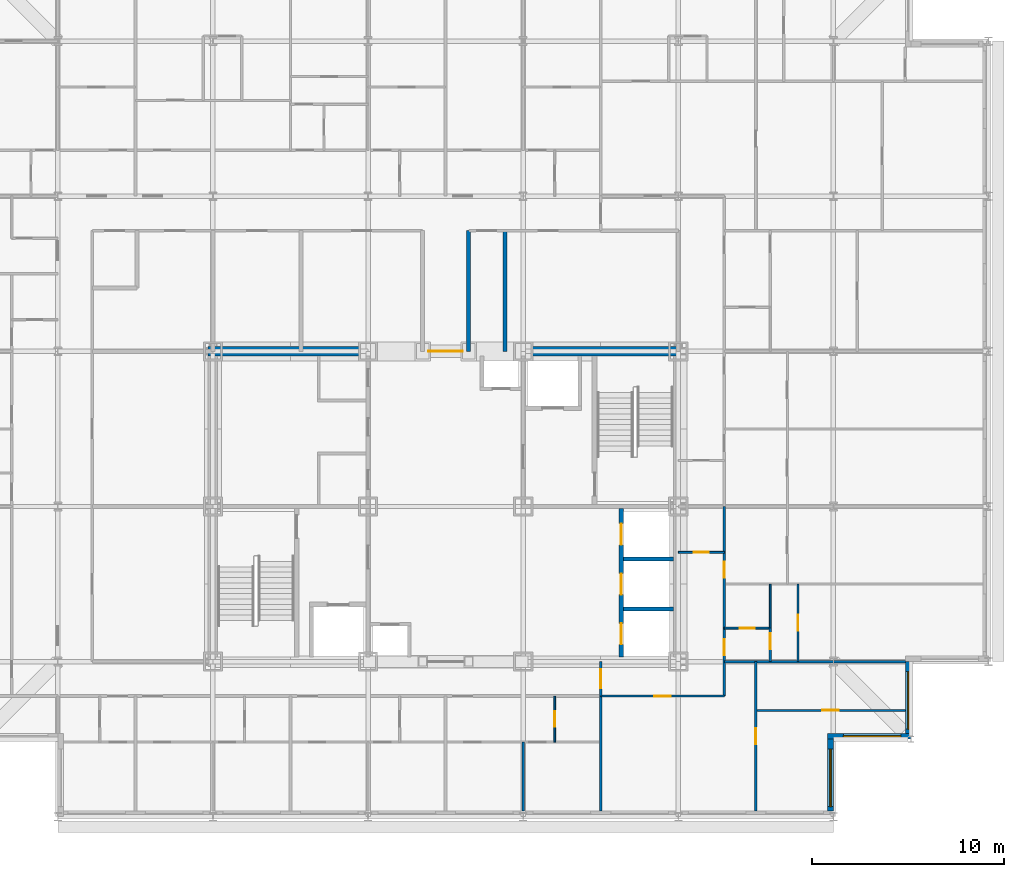
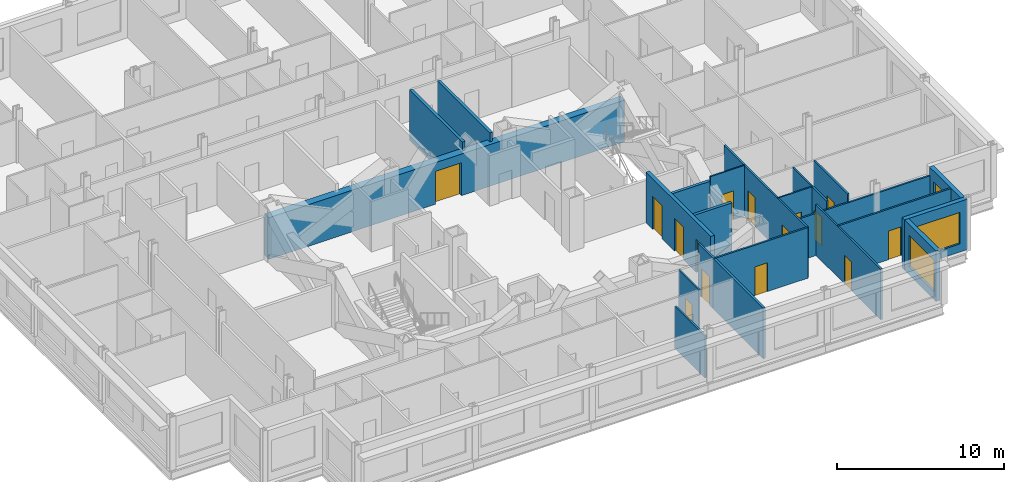
# One storey, part 10 of 16: 23 walls, 15 doors, 3 windows, 18 openings.
"""IFC4 building model written with IfcOpenShell, lengths in metres."""

from ifc_helpers import new_model, si_unit, direction, frame, frame_2d, origin, place, context, subcontext, project, spatial, rectangle, extrude, material, layer, layer_set, type_object, element, fill, save


model = new_model("IFC4")

# Units and contexts
model_context = context("Model", 3, precision=1e-05, world=origin(), true_north=direction((0.0, 1.0)))
body_context = subcontext(model_context, "Body", "Model", "MODEL_VIEW")
ifc_project = project(units=[si_unit("LENGTHUNIT", "METRE"), si_unit("AREAUNIT", "SQUARE_METRE"), si_unit("VOLUMEUNIT", "CUBIC_METRE"), si_unit("PLANEANGLEUNIT", "RADIAN"), si_unit("MASSUNIT", "GRAM", prefix="KILO")], contexts=[model_context])

# Site, building, storey
site_placement = place(None, origin())
site = spatial("IfcSite", under=ifc_project, at=site_placement, CompositionType="ELEMENT")
building_placement = place(site_placement, origin())
building = spatial("IfcBuilding", under=site, at=building_placement, Name="Kopane Lantern Tower", CompositionType="ELEMENT")
storey_placement = place(building_placement, frame((0.0, 0.0, 261.89990234375)))
storey = spatial("IfcBuildingStorey", under=building, at=storey_placement, Name="L67", CompositionType="ELEMENT", Elevation=261.89990234375)

# Wall
ifc_material_1 = material(Name="Gypsum board on steel studs", Category="steel")
ifc_layer_1 = layer(ifc_material_1, 0.1201171875)
ifc_layer_set_1 = layer_set([ifc_layer_1], Name="APARTMENT INTERNAL WALL 120")
wall_type_1 = type_object("IfcWallType", Name="APARTMENT INTERNAL WALL 120", PredefinedType="PARTITIONING", material=ifc_layer_set_1)
wall_1_placement = place(storey_placement, frame((32.39990234375, 20.10009765625, 0.0), z_axis=(0.0, 0.0, 1.0), x_axis=(0.0, -1.0, 0.0)))
element("IfcWall", 1, at=wall_1_placement, inside=storey, type_object=wall_type_1, Name="Apartment Internal Wall 120 L67", PredefinedType="PARTITIONING", context=body_context, shape_type="SweptSolid", body=[
    extrude(rectangle(XDim=3.60009765625, YDim=0.1201171875, at=frame_2d((1.800048828125, 0.0))), origin(), (0.0, 0.0, 1.0), 3.077880859375),
])

# Wall, openings, doors
wall_2_placement = place(storey_placement, frame((42.89990234375, 22.5, 0.0), z_axis=(0.0, 0.0, 1.0), x_axis=(0.0, 1.0, 0.0)))
wall_2 = element("IfcWall", 2, at=wall_2_placement, inside=storey, type_object=wall_type_1, Name="Apartment Internal Wall 120 L67", PredefinedType="PARTITIONING", context=body_context, shape_type="SweptSolid", body=[
    extrude(rectangle(XDim=9.89990234375, YDim=0.1201171875, at=frame_2d((4.949951171875, 0.0))), origin(), (0.0, 0.0, 1.0), 3.690185546875),
])
opening_1_placement = place(wall_2_placement, frame((2.125, 0.0, 0.0)))
opening_1 = element("IfcOpeningElement", 3, at=opening_1_placement, cuts=wall_2, Name="Opening L67-053", PredefinedType="OPENING", context=body_context, shape_type="SweptSolid", body=[
    extrude(rectangle(XDim=0.85009765625, YDim=2.10009765625, at=frame_2d((0.425048828125, 1.050048828125))), frame((0.0, 0.070068359375, 0.0), z_axis=(0.0, -1.0, 0.0), x_axis=(1.0, 0.0, 0.0)), (0.0, 0.0, 1.0), 0.14013671875),
])
opening_2_placement = place(wall_2_placement, frame((6.175048828125, 0.0, 0.0)))
opening_2 = element("IfcOpeningElement", 4, at=opening_2_placement, cuts=wall_2, Name="Opening L67-054", PredefinedType="OPENING", context=body_context, shape_type="SweptSolid", body=[
    extrude(rectangle(XDim=0.85009765625, YDim=2.10009765625, at=frame_2d((0.425048828125, 1.050048828125))), frame((0.0, 0.070068359375, 0.0), z_axis=(0.0, -1.0, 0.0), x_axis=(1.0, 0.0, 0.0)), (0.0, 0.0, 1.0), 0.14013671875),
])
ifc_material_2 = material(Name="Timber door set", Category="wood")
door_type_1 = type_object("IfcDoorType", Name="DOOR D4 850x2100", OperationType="SINGLE_SWING_LEFT", PredefinedType="DOOR", material=ifc_material_2)
door_1_placement = place(opening_1_placement, origin())
door_1 = element("IfcDoor", 5, at=door_1_placement, inside=storey, type_object=door_type_1, Name="Door L67-053", OperationType="SINGLE_SWING_RIGHT", OverallHeight=2.10009765625, OverallWidth=0.85009765625, PredefinedType="DOOR", context=body_context, shape_type="SweptSolid", body=[
    extrude(rectangle(XDim=0.85009765625, YDim=2.10009765625, at=frame_2d((0.425048828125, 1.050048828125))), frame((0.0, 0.02490234375, 0.0), z_axis=(0.0, -1.0, 0.0), x_axis=(1.0, 0.0, 0.0)), (0.0, 0.0, 1.0), 0.050048828125),
])
fill(opening_1, door_1)
door_2_placement = place(opening_2_placement, origin())
door_2 = element("IfcDoor", 6, at=door_2_placement, inside=storey, type_object=door_type_1, Name="Door L67-054", OperationType="SINGLE_SWING_RIGHT", OverallHeight=2.10009765625, OverallWidth=0.85009765625, PredefinedType="DOOR", context=body_context, shape_type="SweptSolid", body=[
    extrude(rectangle(XDim=0.85009765625, YDim=2.10009765625, at=frame_2d((0.425048828125, 1.050048828125))), frame((0.0, 0.02490234375, 0.0), z_axis=(0.0, -1.0, 0.0), x_axis=(1.0, 0.0, 0.0)), (0.0, 0.0, 1.0), 0.050048828125),
])
fill(opening_2, door_2)

# Wall, opening, door
wall_3_placement = place(storey_placement, frame((36.449951171875, 22.5, 0.0), z_axis=(0.0, 0.0, 1.0), x_axis=(1.0, 0.0, 0.0)))
wall_3 = element("IfcWall", 7, at=wall_3_placement, inside=storey, type_object=wall_type_1, Name="Apartment Internal Wall 120 L67", PredefinedType="PARTITIONING", context=body_context, shape_type="SweptSolid", body=[
    extrude(rectangle(XDim=6.449951171875, YDim=0.1201171875, at=frame_2d((3.22509765625, 0.0))), origin(), (0.0, 0.0, 1.0), 3.690185546875),
])
opening_3_placement = place(wall_3_placement, frame((2.800048828125, 0.0, 0.0)))
opening_3 = element("IfcOpeningElement", 8, at=opening_3_placement, cuts=wall_3, Name="Opening L67-050", PredefinedType="OPENING", context=body_context, shape_type="SweptSolid", body=[
    extrude(rectangle(XDim=0.85009765625, YDim=2.10009765625, at=frame_2d((0.425048828125, 1.050048828125))), frame((0.0, 0.070068359375, 0.0), z_axis=(0.0, -1.0, 0.0), x_axis=(1.0, 0.0, 0.0)), (0.0, 0.0, 1.0), 0.14013671875),
])
door_3_placement = place(opening_3_placement, origin())
door_3 = element("IfcDoor", 9, at=door_3_placement, inside=storey, type_object=door_type_1, Name="Door L67-050", OperationType="SINGLE_SWING_RIGHT", OverallHeight=2.10009765625, OverallWidth=0.85009765625, PredefinedType="DOOR", context=body_context, shape_type="SweptSolid", body=[
    extrude(rectangle(XDim=0.85009765625, YDim=2.10009765625, at=frame_2d((0.425048828125, 1.050048828125))), frame((0.0, 0.02490234375, 0.0), z_axis=(0.0, -1.0, 0.0), x_axis=(1.0, 0.0, 0.0)), (0.0, 0.0, 1.0), 0.050048828125),
])
fill(opening_3, door_3)

# Wall
wall_4_placement = place(storey_placement, frame((42.89990234375, 24.300048828125, 0.0), z_axis=(0.0, 0.0, 1.0), x_axis=(1.0, 0.0, 0.0)))
element("IfcWall", 10, at=wall_4_placement, inside=storey, type_object=wall_type_1, Name="Apartment Internal Wall 120 L67", PredefinedType="PARTITIONING", context=body_context, shape_type="SweptSolid", body=[
    extrude(rectangle(XDim=9.4501953125, YDim=0.1201171875, at=frame_2d((4.72509765625, 0.0))), origin(), (0.0, 0.0, 1.0), 3.077880859375),
])

# Wall, opening, door
wall_5_placement = place(storey_placement, frame((44.550048828125, 16.5, 0.0), z_axis=(0.0, 0.0, 1.0), x_axis=(0.0, 1.0, 0.0)))
wall_5 = element("IfcWall", 11, at=wall_5_placement, inside=storey, type_object=wall_type_1, Name="Apartment Internal Wall 120 L67", PredefinedType="PARTITIONING", context=body_context, shape_type="SweptSolid", body=[
    extrude(rectangle(XDim=7.800048828125, YDim=0.1201171875, at=frame_2d((3.89990234375, 0.0))), origin(), (0.0, 0.0, 1.0), 3.690185546875),
])
opening_4_placement = place(wall_5_placement, frame((3.47509765625, 0.0, 0.0)))
opening_4 = element("IfcOpeningElement", 12, at=opening_4_placement, cuts=wall_5, Name="Opening L67-051", PredefinedType="OPENING", context=body_context, shape_type="SweptSolid", body=[
    extrude(rectangle(XDim=0.85009765625, YDim=2.10009765625, at=frame_2d((0.425048828125, 1.050048828125))), frame((0.0, 0.070068359375, 0.0), z_axis=(0.0, -1.0, 0.0), x_axis=(1.0, 0.0, 0.0)), (0.0, 0.0, 1.0), 0.14013671875),
])
door_4_placement = place(opening_4_placement, origin())
door_4 = element("IfcDoor", 13, at=door_4_placement, inside=storey, type_object=door_type_1, Name="Door L67-051", OperationType="SINGLE_SWING_LEFT", OverallHeight=2.10009765625, OverallWidth=0.85009765625, PredefinedType="DOOR", context=body_context, shape_type="SweptSolid", body=[
    extrude(rectangle(XDim=0.85009765625, YDim=2.10009765625, at=frame_2d((0.425048828125, 1.050048828125))), frame((0.0, 0.02490234375, 0.0), z_axis=(0.0, -1.0, 0.0), x_axis=(1.0, 0.0, 0.0)), (0.0, 0.0, 1.0), 0.050048828125),
])
fill(opening_4, door_4)

wall_6_placement = place(storey_placement, frame((45.300048828125, 24.300048828125, 0.0), z_axis=(0.0, 0.0, 1.0), x_axis=(0.0, 1.0, 0.0)))
wall_6 = element("IfcWall", 14, at=wall_6_placement, inside=storey, type_object=wall_type_1, Name="Apartment Internal Wall 120 L67", PredefinedType="PARTITIONING", context=body_context, shape_type="SweptSolid", body=[
    extrude(rectangle(XDim=1.760009765625, YDim=0.1201171875, at=frame_2d((0.8798828125, 0.0))), origin(), (0.0, 0.0, 1.0), 3.690185546875),
])
opening_5_placement = place(wall_6_placement, frame((0.635009765625, 0.0, 0.0)))
opening_5 = element("IfcOpeningElement", 15, at=opening_5_placement, cuts=wall_6, Name="Opening L67-067", PredefinedType="OPENING", context=body_context, shape_type="SweptSolid", body=[
    extrude(rectangle(XDim=0.85009765625, YDim=2.10009765625, at=frame_2d((0.425048828125, 1.050048828125))), frame((0.0, 0.070068359375, 0.0), z_axis=(0.0, -1.0, 0.0), x_axis=(1.0, 0.0, 0.0)), (0.0, 0.0, 1.0), 0.14013671875),
])
door_5_placement = place(opening_5_placement, origin())
door_5 = element("IfcDoor", 16, at=door_5_placement, inside=storey, type_object=door_type_1, Name="Door L67-067", OperationType="SINGLE_SWING_RIGHT", OverallHeight=2.10009765625, OverallWidth=0.85009765625, PredefinedType="DOOR", context=body_context, shape_type="SweptSolid", body=[
    extrude(rectangle(XDim=0.85009765625, YDim=2.10009765625, at=frame_2d((0.425048828125, 1.050048828125))), frame((0.0, 0.02490234375, 0.0), z_axis=(0.0, -1.0, 0.0), x_axis=(1.0, 0.0, 0.0)), (0.0, 0.0, 1.0), 0.050048828125),
])
fill(opening_5, door_5)

wall_7_placement = place(storey_placement, frame((44.550048828125, 21.75, 0.0), z_axis=(0.0, 0.0, 1.0), x_axis=(1.0, 0.0, 0.0)))
wall_7 = element("IfcWall", 17, at=wall_7_placement, inside=storey, type_object=wall_type_1, Name="Apartment Internal Wall 120 L67", PredefinedType="PARTITIONING", context=body_context, shape_type="SweptSolid", body=[
    extrude(rectangle(XDim=7.800048828125, YDim=0.1201171875, at=frame_2d((3.89990234375, 0.0))), origin(), (0.0, 0.0, 1.0), 3.690185546875),
])
opening_6_placement = place(wall_7_placement, frame((3.47509765625, 0.0, 0.0)))
opening_6 = element("IfcOpeningElement", 18, at=opening_6_placement, cuts=wall_7, Name="Opening L67-076", PredefinedType="OPENING", context=body_context, shape_type="SweptSolid", body=[
    extrude(rectangle(XDim=0.85009765625, YDim=2.10009765625, at=frame_2d((0.425048828125, 1.050048828125))), frame((0.0, 0.070068359375, 0.0), z_axis=(0.0, -1.0, 0.0), x_axis=(1.0, 0.0, 0.0)), (0.0, 0.0, 1.0), 0.14013671875),
])
door_6_placement = place(opening_6_placement, origin())
door_6 = element("IfcDoor", 19, at=door_6_placement, inside=storey, type_object=door_type_1, Name="Door L67-076", OperationType="SINGLE_SWING_LEFT", OverallHeight=2.10009765625, OverallWidth=0.85009765625, PredefinedType="DOOR", context=body_context, shape_type="SweptSolid", body=[
    extrude(rectangle(XDim=0.85009765625, YDim=2.10009765625, at=frame_2d((0.425048828125, 1.050048828125))), frame((0.0, 0.02490234375, 0.0), z_axis=(0.0, -1.0, 0.0), x_axis=(1.0, 0.0, 0.0)), (0.0, 0.0, 1.0), 0.050048828125),
])
fill(opening_6, door_6)

wall_8_placement = place(storey_placement, frame((46.75, 24.300048828125, 0.0), z_axis=(0.0, 0.0, 1.0), x_axis=(0.0, 1.0, 0.0)))
wall_8 = element("IfcWall", 20, at=wall_8_placement, inside=storey, type_object=wall_type_1, Name="Apartment Internal Wall 120 L67", PredefinedType="PARTITIONING", context=body_context, shape_type="SweptSolid", body=[
    extrude(rectangle(XDim=4.050048828125, YDim=0.1201171875, at=frame_2d((2.02490234375, 0.0))), origin(), (0.0, 0.0, 1.0), 3.690185546875),
])
opening_7_placement = place(wall_8_placement, frame((1.60009765625, 0.0, 0.0)))
opening_7 = element("IfcOpeningElement", 21, at=opening_7_placement, cuts=wall_8, Name="Opening L67-077", PredefinedType="OPENING", context=body_context, shape_type="SweptSolid", body=[
    extrude(rectangle(XDim=0.85009765625, YDim=2.10009765625, at=frame_2d((0.425048828125, 1.050048828125))), frame((0.0, 0.070068359375, 0.0), z_axis=(0.0, -1.0, 0.0), x_axis=(1.0, 0.0, 0.0)), (0.0, 0.0, 1.0), 0.14013671875),
])
door_7_placement = place(opening_7_placement, origin())
door_7 = element("IfcDoor", 22, at=door_7_placement, inside=storey, type_object=door_type_1, Name="Door L67-077", OperationType="SINGLE_SWING_LEFT", OverallHeight=2.10009765625, OverallWidth=0.85009765625, PredefinedType="DOOR", context=body_context, shape_type="SweptSolid", body=[
    extrude(rectangle(XDim=0.85009765625, YDim=2.10009765625, at=frame_2d((0.425048828125, 1.050048828125))), frame((0.0, 0.02490234375, 0.0), z_axis=(0.0, -1.0, 0.0), x_axis=(1.0, 0.0, 0.0)), (0.0, 0.0, 1.0), 0.050048828125),
])
fill(opening_7, door_7)

ifc_material_3 = material(Name="Moisture-resistant board on steel studs", Category="steel")
ifc_layer_2 = layer(ifc_material_3, 0.10009765625)
ifc_layer_set_2 = layer_set([ifc_layer_2], Name="BATHROOM WALL 100")
wall_type_2 = type_object("IfcWallType", Name="BATHROOM WALL 100", PredefinedType="PARTITIONING", material=ifc_layer_set_2)
wall_9_placement = place(storey_placement, frame((34.050048828125, 22.5, 0.0), z_axis=(0.0, 0.0, 1.0), x_axis=(0.0, -1.0, 0.0)))
wall_9 = element("IfcWall", 23, at=wall_9_placement, inside=storey, type_object=wall_type_2, Name="Bathroom Wall 100 L67", PredefinedType="PARTITIONING", context=body_context, shape_type="SweptSolid", body=[
    extrude(rectangle(XDim=2.39990234375, YDim=0.10009765625, at=frame_2d((1.199951171875, 0.0))), origin(), (0.0, 0.0, 1.0), 3.690185546875),
])
opening_8_placement = place(wall_9_placement, frame((0.800048828125, 0.0, 0.0)))
opening_8 = element("IfcOpeningElement", 24, at=opening_8_placement, cuts=wall_9, Name="Opening L67-017", PredefinedType="OPENING", context=body_context, shape_type="SweptSolid", body=[
    extrude(rectangle(XDim=0.800048828125, YDim=2.10009765625, at=frame_2d((0.39990234375, 1.050048828125))), frame((0.0, 0.06005859375, 0.0), z_axis=(0.0, -1.0, 0.0), x_axis=(1.0, 0.0, 0.0)), (0.0, 0.0, 1.0), 0.1201171875),
])
ifc_material_4 = material(Name="Timber door set", Category="wood")
door_type_2 = type_object("IfcDoorType", Name="DOOR D2 800x2100", OperationType="SINGLE_SWING_LEFT", PredefinedType="DOOR", material=ifc_material_4)
door_8_placement = place(opening_8_placement, origin())
door_8 = element("IfcDoor", 25, at=door_8_placement, inside=storey, type_object=door_type_2, Name="Door L67-017", OperationType="SINGLE_SWING_LEFT", OverallHeight=2.10009765625, OverallWidth=0.800048828125, PredefinedType="DOOR", context=body_context, shape_type="SweptSolid", body=[
    extrude(rectangle(XDim=0.800048828125, YDim=2.10009765625, at=frame_2d((0.39990234375, 1.050048828125))), frame((0.0, 0.02490234375, 0.0), z_axis=(0.0, -1.0, 0.0), x_axis=(1.0, 0.0, 0.0)), (0.0, 0.0, 1.0), 0.050048828125),
])
fill(opening_8, door_8)

wall_10_placement = place(storey_placement, frame((40.5, 30.0, 0.0), z_axis=(0.0, 0.0, 1.0), x_axis=(1.0, 0.0, 0.0)))
wall_10 = element("IfcWall", 26, at=wall_10_placement, inside=storey, type_object=wall_type_2, Name="Bathroom Wall 100 L67", PredefinedType="PARTITIONING", context=body_context, shape_type="SweptSolid", body=[
    extrude(rectangle(XDim=2.39990234375, YDim=0.10009765625, at=frame_2d((1.199951171875, 0.0))), origin(), (0.0, 0.0, 1.0), 3.690185546875),
])
opening_9_placement = place(wall_10_placement, frame((0.800048828125, 0.0, 0.0)))
opening_9 = element("IfcOpeningElement", 27, at=opening_9_placement, cuts=wall_10, Name="Opening L67-049", PredefinedType="OPENING", context=body_context, shape_type="SweptSolid", body=[
    extrude(rectangle(XDim=0.800048828125, YDim=2.10009765625, at=frame_2d((0.39990234375, 1.050048828125))), frame((0.0, 0.06005859375, 0.0), z_axis=(0.0, -1.0, 0.0), x_axis=(1.0, 0.0, 0.0)), (0.0, 0.0, 1.0), 0.1201171875),
])
door_9_placement = place(opening_9_placement, origin())
door_9 = element("IfcDoor", 28, at=door_9_placement, inside=storey, type_object=door_type_2, Name="Door L67-049", OperationType="SINGLE_SWING_LEFT", OverallHeight=2.10009765625, OverallWidth=0.800048828125, PredefinedType="DOOR", context=body_context, shape_type="SweptSolid", body=[
    extrude(rectangle(XDim=0.800048828125, YDim=2.10009765625, at=frame_2d((0.39990234375, 1.050048828125))), frame((0.0, 0.02490234375, 0.0), z_axis=(0.0, -1.0, 0.0), x_axis=(1.0, 0.0, 0.0)), (0.0, 0.0, 1.0), 0.050048828125),
])
fill(opening_9, door_9)

wall_11_placement = place(storey_placement, frame((42.89990234375, 26.050048828125, 0.0), z_axis=(0.0, 0.0, 1.0), x_axis=(1.0, 0.0, 0.0)))
wall_11 = element("IfcWall", 29, at=wall_11_placement, inside=storey, type_object=wall_type_2, Name="Bathroom Wall 100 L67", PredefinedType="PARTITIONING", context=body_context, shape_type="SweptSolid", body=[
    extrude(rectangle(XDim=2.400146484375, YDim=0.10009765625, at=frame_2d((1.2001953125, 0.0))), origin(), (0.0, 0.0, 1.0), 3.690185546875),
])
opening_10_placement = place(wall_11_placement, frame((0.800048828125, 0.0, 0.0)))
opening_10 = element("IfcOpeningElement", 30, at=opening_10_placement, cuts=wall_11, Name="Opening L67-052", PredefinedType="OPENING", context=body_context, shape_type="SweptSolid", body=[
    extrude(rectangle(XDim=0.800048828125, YDim=2.10009765625, at=frame_2d((0.39990234375, 1.050048828125))), frame((0.0, 0.06005859375, 0.0), z_axis=(0.0, -1.0, 0.0), x_axis=(1.0, 0.0, 0.0)), (0.0, 0.0, 1.0), 0.1201171875),
])
door_10_placement = place(opening_10_placement, origin())
door_10 = element("IfcDoor", 31, at=door_10_placement, inside=storey, type_object=door_type_2, Name="Door L67-052", OperationType="SINGLE_SWING_LEFT", OverallHeight=2.10009765625, OverallWidth=0.800048828125, PredefinedType="DOOR", context=body_context, shape_type="SweptSolid", body=[
    extrude(rectangle(XDim=0.800048828125, YDim=2.10009765625, at=frame_2d((0.39990234375, 1.050048828125))), frame((0.0, 0.02490234375, 0.0), z_axis=(0.0, -1.0, 0.0), x_axis=(1.0, 0.0, 0.0)), (0.0, 0.0, 1.0), 0.050048828125),
])
fill(opening_10, door_10)

# Wall
wall_12_placement = place(storey_placement, frame((45.300048828125, 26.050048828125, 0.0), z_axis=(0.0, 0.0, 1.0), x_axis=(0.0, 1.0, 0.0)))
element("IfcWall", 32, at=wall_12_placement, inside=storey, type_object=wall_type_2, Name="Bathroom Wall 100 L67", PredefinedType="PARTITIONING", context=body_context, shape_type="SweptSolid", body=[
    extrude(rectangle(XDim=2.300048828125, YDim=0.10009765625, at=frame_2d((1.14990234375, 0.0))), origin(), (0.0, 0.0, 1.0), 3.690185546875),
])

# Wall, opening, door
ifc_material_5 = material(Name="Gypsum shaft wall EI 120", Category="gypsum")
ifc_layer_3 = layer(ifc_material_5, 0.5)
ifc_layer_set_3 = layer_set([ifc_layer_3], Name="CORE PERIMETER WALL 500 EI 120")
wall_type_3 = type_object("IfcWallType", Name="CORE PERIMETER WALL 500 EI 120", PredefinedType="SOLIDWALL", material=ifc_layer_set_3)
wall_13_placement = place(storey_placement, frame((15.949951171875, 40.5, 0.0), z_axis=(0.0, 0.0, 1.0), x_axis=(1.0, 0.0, 0.0)))
wall_13 = element("IfcWall", 33, at=wall_13_placement, inside=storey, type_object=wall_type_3, Name="Core shaft wall L67 PN", PredefinedType="SOLIDWALL", context=body_context, shape_type="SweptSolid", body=[
    extrude(rectangle(XDim=24.550048828125, YDim=0.5, at=frame_2d((12.27490234375, 0.0))), origin(), (0.0, 0.0, 1.0), 3.0400390625),
])
opening_11_placement = place(wall_13_placement, frame((11.5, 0.0, 0.0)))
opening_11 = element("IfcOpeningElement", 34, at=opening_11_placement, cuts=wall_13, Name="Opening 67.CE-N", PredefinedType="OPENING", context=body_context, shape_type="SweptSolid", body=[
    extrude(rectangle(XDim=1.800048828125, YDim=2.39990234375, at=frame_2d((0.89990234375, 1.199951171875))), frame((0.0, 0.260009765625, 0.0), z_axis=(0.0, -1.0, 0.0), x_axis=(1.0, 0.0, 0.0)), (0.0, 0.0, 1.0), 0.52001953125),
])
ifc_material_6 = material(Name="Steel door set", Category="steel")
door_type_3 = type_object("IfcDoorType", Name="CORE ENTRY DOOR 1800x2400 FD60S", OperationType="DOUBLE_DOOR_SINGLE_SWING", PredefinedType="DOOR", material=ifc_material_6)
door_11_placement = place(opening_11_placement, origin())
door_11 = element("IfcDoor", 35, at=door_11_placement, inside=storey, type_object=door_type_3, Name="Core entry door L67 north", OperationType="DOUBLE_DOOR_SINGLE_SWING", OverallHeight=2.39990234375, OverallWidth=1.800048828125, PredefinedType="DOOR", context=body_context, shape_type="SweptSolid", body=[
    extrude(rectangle(XDim=1.800048828125, YDim=2.39990234375, at=frame_2d((0.89990234375, 1.199951171875))), frame((0.0, 0.02490234375, 0.0), z_axis=(0.0, -1.0, 0.0), x_axis=(1.0, 0.0, 0.0)), (0.0, 0.0, 1.0), 0.050048828125),
])
fill(opening_11, door_11)

# Wall, openings, doors
ifc_material_7 = material(Name="Gypsum shaft wall EI 120", Category="gypsum")
ifc_layer_4 = layer(ifc_material_7, 0.25)
ifc_layer_set_4 = layer_set([ifc_layer_4], Name="CORE SHAFT WALL 250 EI 120")
wall_type_4 = type_object("IfcWallType", Name="CORE SHAFT WALL 250 EI 120", PredefinedType="SOLIDWALL", material=ifc_layer_set_4)
wall_14_placement = place(storey_placement, frame((37.52490234375, 24.550048828125, 0.0), z_axis=(0.0, 0.0, 1.0), x_axis=(0.0, 1.0, 0.0)))
wall_14 = element("IfcWall", 36, at=wall_14_placement, inside=storey, type_object=wall_type_4, Name="Core shaft wall L67 XLR", PredefinedType="SOLIDWALL", context=body_context, shape_type="SweptSolid", body=[
    extrude(rectangle(XDim=7.75, YDim=0.25, at=frame_2d((3.875, 0.0))), origin(), (0.0, 0.0, 1.0), 3.690185546875),
])
opening_12_placement = place(wall_14_placement, frame((0.64990234375, 0.0, 0.0)))
opening_12 = element("IfcOpeningElement", 37, at=opening_12_placement, cuts=wall_14, Name="Opening 67.LD-LR1", PredefinedType="OPENING", context=body_context, shape_type="SweptSolid", body=[
    extrude(rectangle(XDim=1.10009765625, YDim=2.39990234375, at=frame_2d((0.550048828125, 1.199951171875))), frame((0.0, 0.135009765625, 0.0), z_axis=(0.0, -1.0, 0.0), x_axis=(1.0, 0.0, 0.0)), (0.0, 0.0, 1.0), 0.27001953125),
])
opening_13_placement = place(wall_14_placement, frame((3.25, 0.0, 0.0)))
opening_13 = element("IfcOpeningElement", 38, at=opening_13_placement, cuts=wall_14, Name="Opening 67.LD-LR2", PredefinedType="OPENING", context=body_context, shape_type="SweptSolid", body=[
    extrude(rectangle(XDim=1.10009765625, YDim=2.39990234375, at=frame_2d((0.550048828125, 1.199951171875))), frame((0.0, 0.135009765625, 0.0), z_axis=(0.0, -1.0, 0.0), x_axis=(1.0, 0.0, 0.0)), (0.0, 0.0, 1.0), 0.27001953125),
])
opening_14_placement = place(wall_14_placement, frame((5.85009765625, 0.0, 0.0)))
opening_14 = element("IfcOpeningElement", 39, at=opening_14_placement, cuts=wall_14, Name="Opening 67.LD-LR3", PredefinedType="OPENING", context=body_context, shape_type="SweptSolid", body=[
    extrude(rectangle(XDim=1.10009765625, YDim=2.39990234375, at=frame_2d((0.550048828125, 1.199951171875))), frame((0.0, 0.135009765625, 0.0), z_axis=(0.0, -1.0, 0.0), x_axis=(1.0, 0.0, 0.0)), (0.0, 0.0, 1.0), 0.27001953125),
])
ifc_material_8 = material(Name="Steel door set", Category="steel")
door_type_4 = type_object("IfcDoorType", Name="LIFT LANDING DOOR 1100x2400 FD60", OperationType="DOUBLE_DOOR_SLIDING", PredefinedType="DOOR", material=ifc_material_8)
door_12_placement = place(opening_12_placement, origin())
door_12 = element("IfcDoor", 40, at=door_12_placement, inside=storey, type_object=door_type_4, Name="Landing door LR1 L67", OperationType="DOUBLE_DOOR_SLIDING", OverallHeight=2.39990234375, OverallWidth=1.10009765625, PredefinedType="DOOR", context=body_context, shape_type="SweptSolid", body=[
    extrude(rectangle(XDim=1.10009765625, YDim=2.39990234375, at=frame_2d((0.550048828125, 1.199951171875))), frame((0.0, 0.02490234375, 0.0), z_axis=(0.0, -1.0, 0.0), x_axis=(1.0, 0.0, 0.0)), (0.0, 0.0, 1.0), 0.050048828125),
])
fill(opening_12, door_12)
door_13_placement = place(opening_13_placement, origin())
door_13 = element("IfcDoor", 41, at=door_13_placement, inside=storey, type_object=door_type_4, Name="Landing door LR2 L67", OperationType="DOUBLE_DOOR_SLIDING", OverallHeight=2.39990234375, OverallWidth=1.10009765625, PredefinedType="DOOR", context=body_context, shape_type="SweptSolid", body=[
    extrude(rectangle(XDim=1.10009765625, YDim=2.39990234375, at=frame_2d((0.550048828125, 1.199951171875))), frame((0.0, 0.02490234375, 0.0), z_axis=(0.0, -1.0, 0.0), x_axis=(1.0, 0.0, 0.0)), (0.0, 0.0, 1.0), 0.050048828125),
])
fill(opening_13, door_13)
door_14_placement = place(opening_14_placement, origin())
door_14 = element("IfcDoor", 42, at=door_14_placement, inside=storey, type_object=door_type_4, Name="Landing door LR3 L67", OperationType="DOUBLE_DOOR_SLIDING", OverallHeight=2.39990234375, OverallWidth=1.10009765625, PredefinedType="DOOR", context=body_context, shape_type="SweptSolid", body=[
    extrude(rectangle(XDim=1.10009765625, YDim=2.39990234375, at=frame_2d((0.550048828125, 1.199951171875))), frame((0.0, 0.02490234375, 0.0), z_axis=(0.0, -1.0, 0.0), x_axis=(1.0, 0.0, 0.0)), (0.0, 0.0, 1.0), 0.050048828125),
])
fill(opening_14, door_14)

# Wall, opening, door
ifc_material_9 = material(Name="Gypsum board on steel studs", Category="steel")
ifc_layer_5 = layer(ifc_material_9, 0.14990234375)
ifc_layer_set_5 = layer_set([ifc_layer_5], Name="CORRIDOR WALL 150 EI 60")
wall_type_5 = type_object("IfcWallType", Name="CORRIDOR WALL 150 EI 60", PredefinedType="PARTITIONING", material=ifc_layer_set_5)
wall_15_placement = place(storey_placement, frame((36.449951171875, 22.5, 0.0), z_axis=(0.0, 0.0, 1.0), x_axis=(0.0, 1.0, 0.0)))
wall_15 = element("IfcWall", 43, at=wall_15_placement, inside=storey, type_object=wall_type_5, Name="Corridor Wall 150 Ei 60 L67", PredefinedType="PARTITIONING", context=body_context, shape_type="SweptSolid", body=[
    extrude(rectangle(XDim=1.800048828125, YDim=0.14990234375, at=frame_2d((0.89990234375, 0.0))), origin(), (0.0, 0.0, 1.0), 3.690185546875),
])
opening_15_placement = place(wall_15_placement, frame((0.39990234375, 0.0, 0.0)))
opening_15 = element("IfcOpeningElement", 44, at=opening_15_placement, cuts=wall_15, Name="Opening L67-048", PredefinedType="OPENING", context=body_context, shape_type="SweptSolid", body=[
    extrude(rectangle(XDim=1.0, YDim=2.10009765625, at=frame_2d((0.5, 1.050048828125))), frame((0.0, 0.0849609375, 0.0), z_axis=(0.0, -1.0, 0.0), x_axis=(1.0, 0.0, 0.0)), (0.0, 0.0, 1.0), 0.169921875),
])
ifc_material_10 = material(Name="Steel door set", Category="steel")
door_type_5 = type_object("IfcDoorType", Name="DOOR D3 1000x2100 FD30S", OperationType="SINGLE_SWING_LEFT", PredefinedType="DOOR", material=ifc_material_10)
door_15_placement = place(opening_15_placement, origin())
door_15 = element("IfcDoor", 45, at=door_15_placement, inside=storey, type_object=door_type_5, Name="Door L67-048", OperationType="SINGLE_SWING_RIGHT", OverallHeight=2.10009765625, OverallWidth=1.0, PredefinedType="DOOR", context=body_context, shape_type="SweptSolid", body=[
    extrude(rectangle(XDim=1.0, YDim=2.10009765625, at=frame_2d((0.5, 1.050048828125))), frame((0.0, 0.02490234375, 0.0), z_axis=(0.0, -1.0, 0.0), x_axis=(1.0, 0.0, 0.0)), (0.0, 0.0, 1.0), 0.050048828125),
])
fill(opening_15, door_15)

# Wall
ifc_material_11 = material(Name="Gypsum board on steel studs", Category="steel")
ifc_layer_6 = layer(ifc_material_11, 0.14990234375)
ifc_layer_set_6 = layer_set([ifc_layer_6], Name="DEMISING WALL 150 EI 60")
wall_type_6 = type_object("IfcWallType", Name="DEMISING WALL 150 EI 60", PredefinedType="PARTITIONING", material=ifc_layer_set_6)
wall_16_placement = place(storey_placement, frame((36.449951171875, 16.5, 0.0), z_axis=(0.0, 0.0, 1.0), x_axis=(0.0, 1.0, 0.0)))
element("IfcWall", 46, at=wall_16_placement, inside=storey, type_object=wall_type_6, Name="Demising Wall 150 Ei 60 L67", PredefinedType="PARTITIONING", context=body_context, shape_type="SweptSolid", body=[
    extrude(rectangle(XDim=6.0, YDim=0.14990234375, at=frame_2d((3.0, 0.0))), origin(), (0.0, 0.0, 1.0), 3.690185546875),
])

# Wall, opening, window
ifc_material_12 = material(Name="Terracotta rainscreen on light steel framing", Category="masonry")
ifc_layer_7 = layer(ifc_material_12, 0.300048828125)
ifc_layer_set_7 = layer_set([ifc_layer_7], Name="EXTERNAL WALL EW1 300 TERRACOTTA")
wall_type_7 = type_object("IfcWallType", Name="EXTERNAL WALL EW1 300 TERRACOTTA", PredefinedType="SOLIDWALL", material=ifc_layer_set_7)
wall_17_placement = place(storey_placement, frame((48.449951171875, 16.5, 0.0), z_axis=(0.0, 0.0, 1.0), x_axis=(0.0, 1.0, 0.0)))
wall_17 = element("IfcWall", 47, at=wall_17_placement, inside=storey, type_object=wall_type_7, Name="External wall E L67", PredefinedType="SOLIDWALL", context=body_context, shape_type="SweptSolid", body=[
    extrude(rectangle(XDim=3.75, YDim=0.300048828125, at=frame_2d((1.875, 0.0))), origin(), (0.0, 0.0, 1.0), 3.690185546875),
])
opening_16_placement = place(wall_17_placement, frame((0.22509765625, 0.0, 0.60009765625)))
opening_16 = element("IfcOpeningElement", 48, at=opening_16_placement, cuts=wall_17, Name="Opening WR300230", PredefinedType="OPENING", context=body_context, shape_type="SweptSolid", body=[
    extrude(rectangle(XDim=3.0, YDim=2.300048828125, at=frame_2d((1.5, 1.14990234375))), frame((0.0, 0.159912109375, 0.0), z_axis=(0.0, -1.0, 0.0), x_axis=(1.0, 0.0, 0.0)), (0.0, 0.0, 1.0), 0.320068359375),
])
ifc_material_13 = material(Name="Aluminium and clear glass", Category="aluminium")
window_type = type_object("IfcWindowType", Name="RIBBON WINDOW WR300230 3000x2300", PartitioningType="SINGLE_PANEL", PredefinedType="WINDOW", material=ifc_material_13)
window_1_placement = place(opening_16_placement, origin())
window_1 = element("IfcWindow", 49, at=window_1_placement, inside=storey, type_object=window_type, Name="Window E L67", OverallHeight=2.300048828125, OverallWidth=3.0, PartitioningType="SINGLE_PANEL", PredefinedType="WINDOW", context=body_context, shape_type="SweptSolid", body=[
    extrude(rectangle(XDim=3.0, YDim=2.300048828125, at=frame_2d((1.5, 1.14990234375))), frame((0.0, 0.030029296875, 0.0), z_axis=(0.0, -1.0, 0.0), x_axis=(1.0, 0.0, 0.0)), (0.0, 0.0, 1.0), 0.06005859375),
])
fill(opening_16, window_1)

wall_18_placement = place(storey_placement, frame((48.300048828125, 20.39990234375, 0.0), z_axis=(0.0, 0.0, 1.0), x_axis=(1.0, 0.0, 0.0)))
wall_18 = element("IfcWall", 50, at=wall_18_placement, inside=storey, type_object=wall_type_7, Name="External wall S L67", PredefinedType="SOLIDWALL", context=body_context, shape_type="SweptSolid", body=[
    extrude(rectangle(XDim=4.349853515625, YDim=0.300048828125, at=frame_2d((2.1748046875, 0.0))), origin(), (0.0, 0.0, 1.0), 3.690185546875),
])
opening_17_placement = place(wall_18_placement, frame((0.824951171875, 0.0, 0.60009765625)))
opening_17 = element("IfcOpeningElement", 51, at=opening_17_placement, cuts=wall_18, Name="Opening WR300230", PredefinedType="OPENING", context=body_context, shape_type="SweptSolid", body=[
    extrude(rectangle(XDim=3.0, YDim=2.300048828125, at=frame_2d((1.5, 1.14990234375))), frame((0.0, 0.159912109375, 0.0), z_axis=(0.0, -1.0, 0.0), x_axis=(1.0, 0.0, 0.0)), (0.0, 0.0, 1.0), 0.320068359375),
])
window_2_placement = place(opening_17_placement, origin())
window_2 = element("IfcWindow", 52, at=window_2_placement, inside=storey, type_object=window_type, Name="Window S L67", OverallHeight=2.300048828125, OverallWidth=3.0, PartitioningType="SINGLE_PANEL", PredefinedType="WINDOW", context=body_context, shape_type="SweptSolid", body=[
    extrude(rectangle(XDim=3.0, YDim=2.300048828125, at=frame_2d((1.5, 1.14990234375))), frame((0.0, 0.030029296875, 0.0), z_axis=(0.0, -1.0, 0.0), x_axis=(1.0, 0.0, 0.0)), (0.0, 0.0, 1.0), 0.06005859375),
])
fill(opening_17, window_2)

wall_19_placement = place(storey_placement, frame((52.5, 20.550048828125, 0.0), z_axis=(0.0, 0.0, 1.0), x_axis=(0.0, 1.0, 0.0)))
wall_19 = element("IfcWall", 53, at=wall_19_placement, inside=storey, type_object=wall_type_7, Name="External wall E L67", PredefinedType="SOLIDWALL", context=body_context, shape_type="SweptSolid", body=[
    extrude(rectangle(XDim=3.75, YDim=0.300048828125, at=frame_2d((1.875, 0.0))), origin(), (0.0, 0.0, 1.0), 3.690185546875),
])
opening_18_placement = place(wall_19_placement, frame((0.22509765625, 0.0, 0.60009765625)))
opening_18 = element("IfcOpeningElement", 54, at=opening_18_placement, cuts=wall_19, Name="Opening WR300230", PredefinedType="OPENING", context=body_context, shape_type="SweptSolid", body=[
    extrude(rectangle(XDim=3.0, YDim=2.300048828125, at=frame_2d((1.5, 1.14990234375))), frame((0.0, 0.159912109375, 0.0), z_axis=(0.0, -1.0, 0.0), x_axis=(1.0, 0.0, 0.0)), (0.0, 0.0, 1.0), 0.320068359375),
])
window_3_placement = place(opening_18_placement, origin())
window_3 = element("IfcWindow", 55, at=window_3_placement, inside=storey, type_object=window_type, Name="Window E L67", OverallHeight=2.300048828125, OverallWidth=3.0, PartitioningType="SINGLE_PANEL", PredefinedType="WINDOW", context=body_context, shape_type="SweptSolid", body=[
    extrude(rectangle(XDim=3.0, YDim=2.300048828125, at=frame_2d((1.5, 1.14990234375))), frame((0.0, 0.030029296875, 0.0), z_axis=(0.0, -1.0, 0.0), x_axis=(1.0, 0.0, 0.0)), (0.0, 0.0, 1.0), 0.06005859375),
])
fill(opening_18, window_3)

# Walls
ifc_material_14 = material(Name="Concrete masonry", Category="masonry")
ifc_layer_8 = layer(ifc_material_14, 0.199951171875)
ifc_layer_set_8 = layer_set([ifc_layer_8], Name="PLANT ROOM WALL 200 EI 120")
wall_type_8 = type_object("IfcWallType", Name="PLANT ROOM WALL 200 EI 120", PredefinedType="SOLIDWALL", material=ifc_layer_set_8)
for number, where, z_axis, x_axis, name in (
    (56, (31.454833984375, 46.800048828125, 0.0), (0.0, 0.0, 1.0), (0.0, -1.0, 0.0), "Plant Room Wall 200 Ei 120 L67"),
    (57, (29.550048828125, 40.5, 0.0), (0.0, 0.0, 1.0), (0.0, 1.0, 0.0), "Plant Room Wall 200 Ei 120 L67"),
):
    element("IfcWall", number, at=place(storey_placement, frame(where, z_axis=z_axis, x_axis=x_axis)), inside=storey, type_object=wall_type_8, Name=name, PredefinedType="SOLIDWALL", context=body_context, shape_type="SweptSolid", body=[
        extrude(rectangle(XDim=6.300048828125, YDim=0.199951171875, at=frame_2d((3.14990234375, 0.0))), origin(), (0.0, 0.0, 1.0), 3.690185546875),
    ])
ifc_material_15 = material(Name="Gypsum shaft wall EI 120", Category="gypsum")
ifc_layer_9 = layer(ifc_material_15, 0.199951171875)
ifc_layer_set_9 = layer_set([ifc_layer_9], Name="SHAFT WALL 200 EI 120")
wall_type_9 = type_object("IfcWallType", Name="SHAFT WALL 200 EI 120", PredefinedType="SOLIDWALL", material=ifc_layer_set_9)
for number, where, z_axis, x_axis, name in (
    (58, (37.64990234375, 27.050048828125, 0.0), (0.0, 0.0, 1.0), (1.0, 0.0, 0.0), "Core shaft wall L67 YLR12"),
    (59, (37.64990234375, 29.64990234375, 0.0), (0.0, 0.0, 1.0), (1.0, 0.0, 0.0), "Core shaft wall L67 YLR23"),
):
    element("IfcWall", number, at=place(storey_placement, frame(where, z_axis=z_axis, x_axis=x_axis)), inside=storey, type_object=wall_type_9, Name=name, PredefinedType="SOLIDWALL", context=body_context, shape_type="SweptSolid", body=[
        extrude(rectangle(XDim=2.60009765625, YDim=0.199951171875, at=frame_2d((1.300048828125, 0.0))), origin(), (0.0, 0.0, 1.0), 3.690185546875),
    ])

save(model, "model.ifc")
